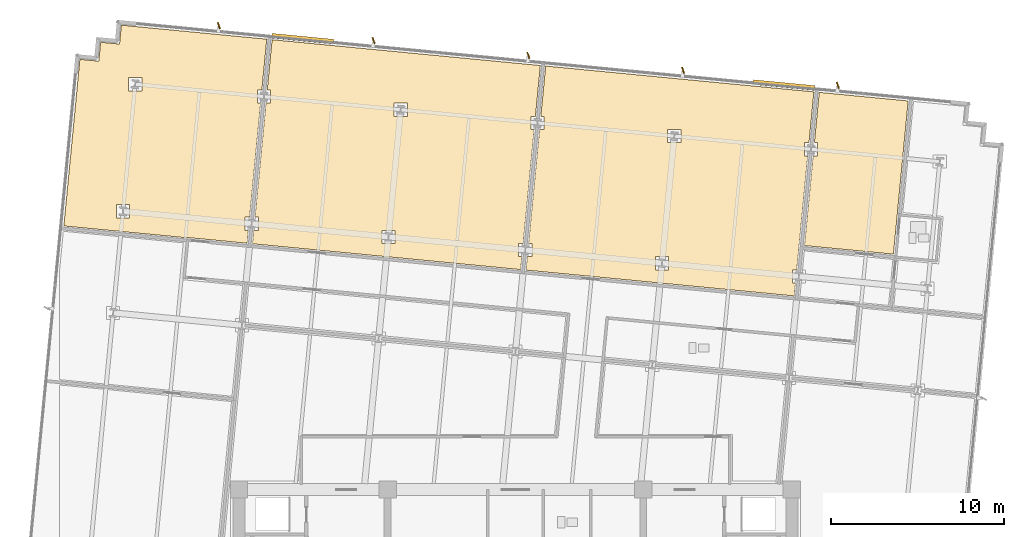
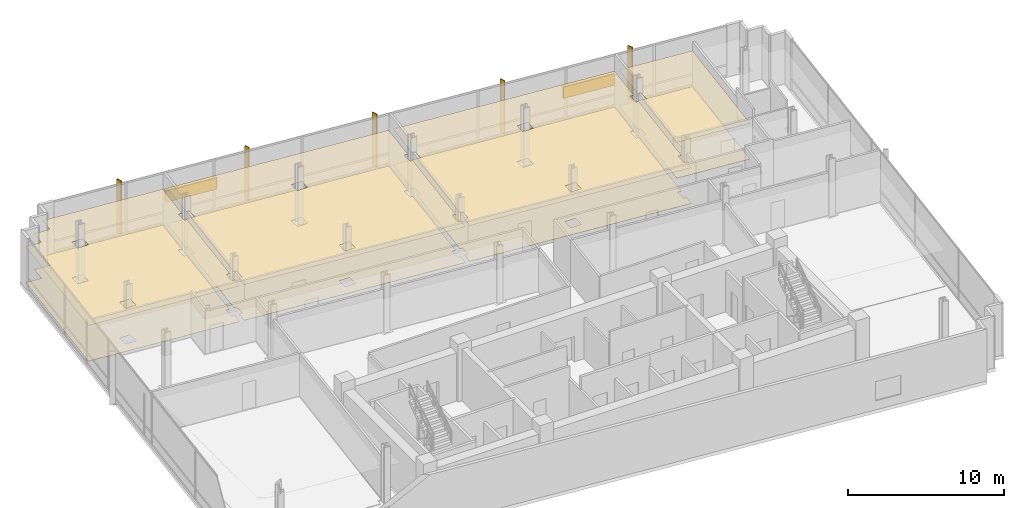
# One storey, part 16 of 17: 8 coverings, 7 shading devices.
"""IFC4 building model written with IfcOpenShell, lengths in metres."""

from ifc_helpers import new_model, si_unit, direction, frame, origin, origin_2d, place, context, subcontext, project, spatial, polyline, rectangle, outline, extrude, material, layer, layer_set, type_object, element, save


model = new_model("IFC4")

# Units and contexts
model_context = context("Model", 3, precision=1e-05, world=origin(), true_north=direction((0.0, 1.0)))
body_context = subcontext(model_context, "Body", "Model", "MODEL_VIEW")
ifc_project = project(units=[si_unit("LENGTHUNIT", "METRE"), si_unit("AREAUNIT", "SQUARE_METRE"), si_unit("VOLUMEUNIT", "CUBIC_METRE"), si_unit("PLANEANGLEUNIT", "RADIAN"), si_unit("MASSUNIT", "GRAM", prefix="KILO")], contexts=[model_context])

# Site, building, storey
site_placement = place(None, origin())
site = spatial("IfcSite", under=ifc_project, at=site_placement, CompositionType="ELEMENT")
building_placement = place(site_placement, origin())
building = spatial("IfcBuilding", under=site, at=building_placement, Name="Solmavex Isthmus Hotel", CompositionType="ELEMENT")
storey_placement = place(building_placement, frame((0.0, 0.0, 181.800048828125)))
storey = spatial("IfcBuildingStorey", under=building, at=storey_placement, Name="L49", CompositionType="ELEMENT", Elevation=181.800048828125)

# Coverings
ifc_material_1 = material(Name="Gypsum plasterboard lining", Category="gypsum")
ifc_layer_1 = layer(ifc_material_1, 0.030029296875)
ifc_layer_set_1 = layer_set([ifc_layer_1], Name="Gypsum plasterboard lining")
covering_type_1 = type_object("IfcCoveringType", Name="COV-CEIL-GYP", PredefinedType="CEILING", material=ifc_layer_set_1)
covering_1_placement = place(storey_placement, frame((0.0, 0.0, 2.800048828125)))
element("IfcCovering", 1, at=covering_1_placement, inside=storey, type_object=covering_type_1, Name="Suspended Acoustic Ceiling L49-RM01", PredefinedType="CEILING", context=body_context, shape_type="SweptSolid", body=[
    extrude(outline(polyline([(-19.121337890625, 12.088623046875), (-19.119384765625, 12.1083984375), (-15.535888671875, 11.763427734375), (-15.463623046875, 12.51611328125), (-15.651123046875, 12.51611328125), (-15.651123046875, 13.276123046875), (-15.390380859375, 13.276123046875), (-14.755126953125, 19.874267578125), (-14.942626953125, 19.874267578125), (-14.942626953125, 20.63427734375), (-14.681884765625, 20.63427734375), (-14.3984375, 23.578857421875), (-21.99609375, 24.310302734375), (-22.8173828125, 24.389404296875), (-22.9228515625, 23.29443359375), (-24.017822265625, 23.39990234375), (-24.123291015625, 22.304931640625), (-25.218017578125, 22.410400390625), (-25.297119140625, 21.589111328125), (-26.14697265625, 12.764892578125), (-19.121337890625, 12.088623046875)]), holes=[polyline([(-22.396240234375, 20.591796875), (-22.396240234375, 21.351806640625), (-21.63623046875, 21.351806640625), (-21.63623046875, 20.591796875), (-22.396240234375, 20.591796875)]), polyline([(-23.104736328125, 13.23388671875), (-23.104736328125, 13.993896484375), (-22.3447265625, 13.993896484375), (-22.3447265625, 13.23388671875), (-23.104736328125, 13.23388671875)])]), origin(), (0.0, 0.0, 1.0), 0.02978515625),
])
covering_2_placement = place(storey_placement, frame((0.0, 0.0, 2.800048828125)))
element("IfcCovering", 2, at=covering_2_placement, inside=storey, type_object=covering_type_1, Name="Suspended Acoustic Ceiling L49-RM02", PredefinedType="CEILING", context=body_context, shape_type="SweptSolid", body=[
    extrude(outline(polyline([(-15.078857421875, 13.276123046875), (-14.89111328125, 13.276123046875), (-14.89111328125, 12.51611328125), (-15.152099609375, 12.51611328125), (-15.2275390625, 11.733642578125), (0.302734375, 10.23828125), (0.375244140625, 10.9912109375), (0.1875, 10.9912109375), (0.1875, 11.751220703125), (0.448486328125, 11.751220703125), (1.083740234375, 18.34912109375), (0.89599609375, 18.34912109375), (0.89599609375, 19.109130859375), (1.156982421875, 19.109130859375), (1.4404296875, 22.0537109375), (-14.08984375, 23.549072265625), (-14.370361328125, 20.63427734375), (-14.1826171875, 20.63427734375), (-14.1826171875, 19.874267578125), (-14.443603515625, 19.874267578125), (-15.078857421875, 13.276123046875)]), holes=[polyline([(-7.0234375, 19.111572265625), (-7.0234375, 19.87158203125), (-6.263427734375, 19.87158203125), (-6.263427734375, 19.111572265625), (-7.0234375, 19.111572265625)]), polyline([(-7.73193359375, 11.753662109375), (-7.73193359375, 12.513671875), (-6.971923828125, 12.513671875), (-6.971923828125, 11.753662109375), (-7.73193359375, 11.753662109375)])]), origin(), (0.0, 0.0, 1.0), 0.02978515625),
])
covering_3_placement = place(storey_placement, frame((0.0, 0.0, 2.800048828125)))
element("IfcCovering", 3, at=covering_3_placement, inside=storey, type_object=covering_type_1, Name="Suspended Acoustic Ceiling L49-RM03", PredefinedType="CEILING", context=body_context, shape_type="SweptSolid", body=[
    extrude(outline(polyline([(0.759765625, 11.751220703125), (0.947509765625, 11.751220703125), (0.947509765625, 10.9912109375), (0.686767578125, 10.9912109375), (0.611328125, 10.20849609375), (4.7333984375, 9.811767578125), (5.606201171875, 9.7275390625), (16.1416015625, 8.713134765625), (16.2138671875, 9.466064453125), (16.0263671875, 9.466064453125), (16.0263671875, 10.22607421875), (16.287109375, 10.22607421875), (16.92236328125, 16.823974609375), (16.73486328125, 16.823974609375), (16.73486328125, 17.583984375), (16.99560546875, 17.583984375), (17.279052734375, 20.528564453125), (1.7490234375, 22.02392578125), (1.46826171875, 19.109130859375), (1.656005859375, 19.109130859375), (1.656005859375, 18.34912109375), (1.395263671875, 18.34912109375), (0.759765625, 11.751220703125)]), holes=[polyline([(8.8154296875, 17.586669921875), (8.8154296875, 18.346435546875), (9.575439453125, 18.346435546875), (9.575439453125, 17.586669921875), (8.8154296875, 17.586669921875)]), polyline([(8.10693359375, 10.228515625), (8.10693359375, 10.988525390625), (8.866943359375, 10.988525390625), (8.866943359375, 10.228515625), (8.10693359375, 10.228515625)])]), origin(), (0.0, 0.0, 1.0), 0.02978515625),
])
covering_4_placement = place(storey_placement, frame((0.0, 0.0, 2.800048828125)))
element("IfcCovering", 4, at=covering_4_placement, inside=storey, type_object=covering_type_1, Name="Suspended Acoustic Ceiling L49-SL04-BD", PredefinedType="CEILING", context=body_context, shape_type="SweptSolid", body=[
    extrude(outline(polyline([(17.30712890625, 17.583984375), (17.494873046875, 17.583984375), (17.494873046875, 16.823974609375), (17.23388671875, 16.823974609375), (17.139404296875, 15.841552734375), (16.733642578125, 11.6279296875), (21.8837890625, 11.132080078125), (22.738037109375, 20.0029296875), (17.587646484375, 20.498779296875), (17.30712890625, 17.583984375)])), origin(), (0.0, 0.0, 1.0), 0.02978515625),
])
ifc_material_2 = material(Name="Travertine natural stone", Category="masonry")
ifc_layer_2 = layer(ifc_material_2, 0.02490234375)
ifc_layer_set_2 = layer_set([ifc_layer_2], Name="Travertine natural stone")
covering_type_2 = type_object("IfcCoveringType", Name="COV-FLOR-STN", PredefinedType="FLOORING", material=ifc_layer_set_2)
covering_5_placement = place(storey_placement, origin())
element("IfcCovering", 5, at=covering_5_placement, inside=storey, type_object=covering_type_2, Name="Stone and Timber Floor Finish L49-RM01", PredefinedType="FLOORING", context=body_context, shape_type="SweptSolid", body=[
    extrude(outline(polyline([(-19.121337890625, 12.088623046875), (-19.119384765625, 12.1083984375), (-15.535888671875, 11.763427734375), (-15.463623046875, 12.51611328125), (-15.651123046875, 12.51611328125), (-15.651123046875, 13.276123046875), (-15.390380859375, 13.276123046875), (-14.755126953125, 19.874267578125), (-14.942626953125, 19.874267578125), (-14.942626953125, 20.63427734375), (-14.681884765625, 20.63427734375), (-14.3984375, 23.578857421875), (-21.99609375, 24.310302734375), (-22.8173828125, 24.389404296875), (-22.9228515625, 23.29443359375), (-24.017822265625, 23.39990234375), (-24.123291015625, 22.304931640625), (-25.218017578125, 22.410400390625), (-25.297119140625, 21.589111328125), (-26.14697265625, 12.764892578125), (-19.121337890625, 12.088623046875)]), holes=[polyline([(-22.396240234375, 20.591796875), (-22.396240234375, 21.351806640625), (-21.63623046875, 21.351806640625), (-21.63623046875, 20.591796875), (-22.396240234375, 20.591796875)]), polyline([(-23.104736328125, 13.23388671875), (-23.104736328125, 13.993896484375), (-22.3447265625, 13.993896484375), (-22.3447265625, 13.23388671875), (-23.104736328125, 13.23388671875)])]), origin(), (0.0, 0.0, 1.0), 0.02490234375),
])
covering_6_placement = place(storey_placement, origin())
element("IfcCovering", 6, at=covering_6_placement, inside=storey, type_object=covering_type_2, Name="Stone and Timber Floor Finish L49-RM02", PredefinedType="FLOORING", context=body_context, shape_type="SweptSolid", body=[
    extrude(outline(polyline([(-15.078857421875, 13.276123046875), (-14.89111328125, 13.276123046875), (-14.89111328125, 12.51611328125), (-15.152099609375, 12.51611328125), (-15.2275390625, 11.733642578125), (0.302734375, 10.23828125), (0.375244140625, 10.9912109375), (0.1875, 10.9912109375), (0.1875, 11.751220703125), (0.448486328125, 11.751220703125), (1.083740234375, 18.34912109375), (0.89599609375, 18.34912109375), (0.89599609375, 19.109130859375), (1.156982421875, 19.109130859375), (1.4404296875, 22.0537109375), (-14.08984375, 23.549072265625), (-14.370361328125, 20.63427734375), (-14.1826171875, 20.63427734375), (-14.1826171875, 19.874267578125), (-14.443603515625, 19.874267578125), (-15.078857421875, 13.276123046875)]), holes=[polyline([(-7.0234375, 19.111572265625), (-7.0234375, 19.87158203125), (-6.263427734375, 19.87158203125), (-6.263427734375, 19.111572265625), (-7.0234375, 19.111572265625)]), polyline([(-7.73193359375, 11.753662109375), (-7.73193359375, 12.513671875), (-6.971923828125, 12.513671875), (-6.971923828125, 11.753662109375), (-7.73193359375, 11.753662109375)])]), origin(), (0.0, 0.0, 1.0), 0.02490234375),
])
covering_7_placement = place(storey_placement, origin())
element("IfcCovering", 7, at=covering_7_placement, inside=storey, type_object=covering_type_2, Name="Stone and Timber Floor Finish L49-RM03", PredefinedType="FLOORING", context=body_context, shape_type="SweptSolid", body=[
    extrude(outline(polyline([(0.759765625, 11.751220703125), (0.947509765625, 11.751220703125), (0.947509765625, 10.9912109375), (0.686767578125, 10.9912109375), (0.611328125, 10.20849609375), (4.7333984375, 9.811767578125), (5.606201171875, 9.7275390625), (16.1416015625, 8.713134765625), (16.2138671875, 9.466064453125), (16.0263671875, 9.466064453125), (16.0263671875, 10.22607421875), (16.287109375, 10.22607421875), (16.92236328125, 16.823974609375), (16.73486328125, 16.823974609375), (16.73486328125, 17.583984375), (16.99560546875, 17.583984375), (17.279052734375, 20.528564453125), (1.7490234375, 22.02392578125), (1.46826171875, 19.109130859375), (1.656005859375, 19.109130859375), (1.656005859375, 18.34912109375), (1.395263671875, 18.34912109375), (0.759765625, 11.751220703125)]), holes=[polyline([(8.8154296875, 17.586669921875), (8.8154296875, 18.346435546875), (9.575439453125, 18.346435546875), (9.575439453125, 17.586669921875), (8.8154296875, 17.586669921875)]), polyline([(8.10693359375, 10.228515625), (8.10693359375, 10.988525390625), (8.866943359375, 10.988525390625), (8.866943359375, 10.228515625), (8.10693359375, 10.228515625)])]), origin(), (0.0, 0.0, 1.0), 0.02490234375),
])
covering_8_placement = place(storey_placement, origin())
element("IfcCovering", 8, at=covering_8_placement, inside=storey, type_object=covering_type_2, Name="Stone and Timber Floor Finish L49-SL04-BD", PredefinedType="FLOORING", context=body_context, shape_type="SweptSolid", body=[
    extrude(outline(polyline([(17.30712890625, 17.583984375), (17.494873046875, 17.583984375), (17.494873046875, 16.823974609375), (17.23388671875, 16.823974609375), (17.139404296875, 15.841552734375), (16.733642578125, 11.6279296875), (21.8837890625, 11.132080078125), (22.738037109375, 20.0029296875), (17.587646484375, 20.498779296875), (17.30712890625, 17.583984375)])), origin(), (0.0, 0.0, 1.0), 0.02490234375),
])

# Shading devices
ifc_material_3 = material(Name="Aluminium alloy 6063-T6", Category="aluminium")
shading_device_type_1 = type_object("IfcShadingDeviceType", Name="SHD-FIN-CHAMP", PredefinedType="USERDEFINED", material=ifc_material_3)
for number, where, z_axis, x_axis, name in (
    (9, (-17.1689453125, 24.36279296875, -0.14013671875), (0.0, 0.0, 1.0), (-0.350207381259, 0.936672189248, 0.0), "Anodised Aluminium Solar Fin L49-N1"),
    (10, (-8.21044921875, 23.500244140625, -0.14013671875), (0.0, 0.0, 1.0), (-0.350207381259, 0.936672189248, 0.0), "Anodised Aluminium Solar Fin L49-N2"),
    (11, (0.748291015625, 22.6376953125, -0.14013671875), (0.0, 0.0, 1.0), (-0.350207381259, 0.936672189248, 0.0), "Anodised Aluminium Solar Fin L49-N3"),
    (12, (9.706787109375, 21.775146484375, -0.14013671875), (0.0, 0.0, 1.0), (-0.350207381259, 0.936672189248, 0.0), "Anodised Aluminium Solar Fin L49-N4"),
    (13, (18.665283203125, 20.912353515625, -0.14013671875), (0.0, 0.0, 1.0), (-0.350207381259, 0.936672189248, 0.0), "Anodised Aluminium Solar Fin L49-N5"),
):
    element("IfcShadingDevice", number, at=place(storey_placement, frame(where, z_axis=z_axis, x_axis=x_axis)), inside=storey, type_object=shading_device_type_1, Name=name, ObjectType="SOLAR_FIN", PredefinedType="USERDEFINED", context=body_context, shape_type="SweptSolid", body=[
        extrude(rectangle(XDim=0.3798828125, YDim=0.070068359375, at=origin_2d()), origin(), (0.0, 0.0, 1.0), 4.18994140625),
    ])
shading_device_type_2 = type_object("IfcShadingDeviceType", Name="SHD-LOUVRE-BOX", PredefinedType="JALOUSIE", material=ifc_material_3)
for number, where, z_axis, x_axis, name in (
    (14, (-12.3193359375, 23.6044921875, 1.64990234375), (0.0, 0.0, 1.0), (0.995396198367, -0.09584575252, 0.0), "Bronze Anodised Sky-Lobby Louvre Screen L49-1"),
    (15, (15.5517578125, 20.9208984375, 1.64990234375), (0.0, 0.0, 1.0), (0.995396198367, -0.09584575252, 0.0), "Bronze Anodised Sky-Lobby Louvre Screen L49-2"),
):
    element("IfcShadingDevice", number, at=place(storey_placement, frame(where, z_axis=z_axis, x_axis=x_axis)), inside=storey, type_object=shading_device_type_2, Name=name, PredefinedType="JALOUSIE", context=body_context, shape_type="SweptSolid", body=[
        extrude(rectangle(XDim=3.60009765625, YDim=0.280029296875, at=origin_2d()), origin(), (0.0, 0.0, 1.0), 0.89990234375),
    ])

save(model, "model.ifc")
